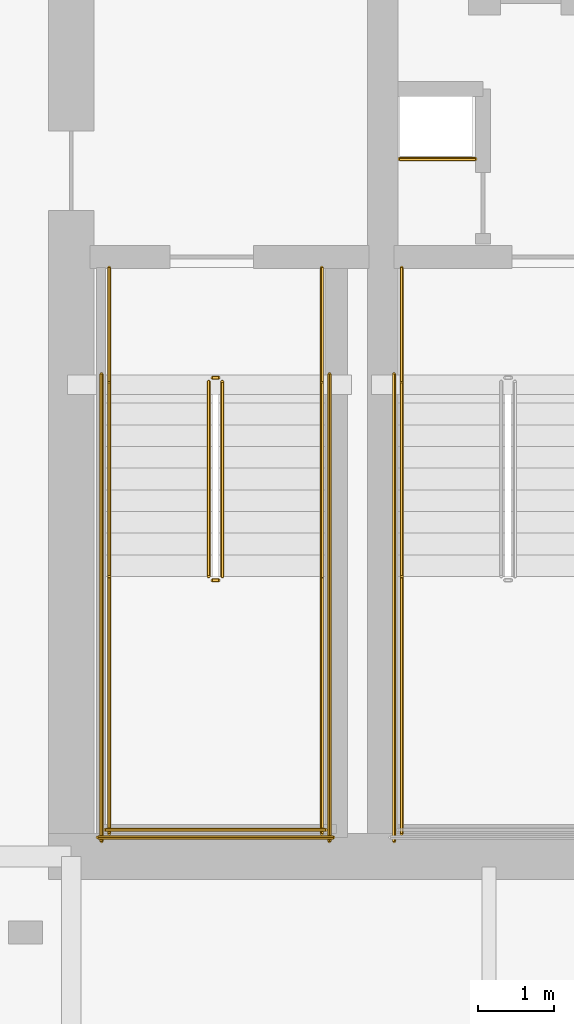
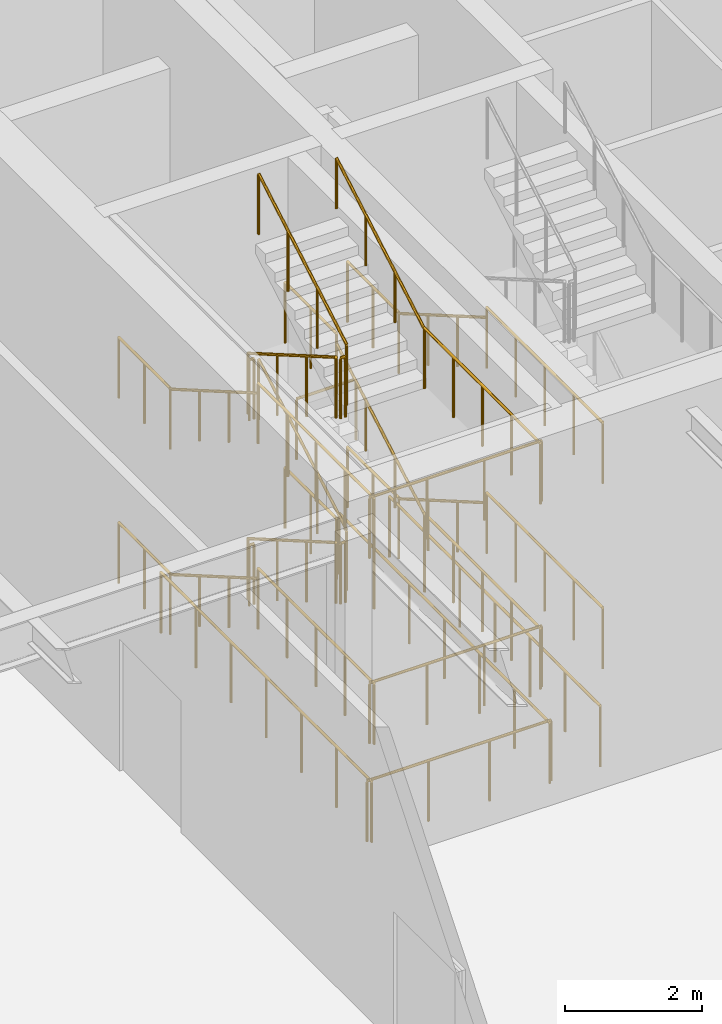
# One storey, part 11 of 16: 33 railings.
"""IFC4 building model written with IfcOpenShell, lengths in metres."""

from ifc_helpers import new_model, si_unit, direction, frame, origin, origin_2d, place, context, subcontext, project, spatial, circle, extrude, material, type_object, element, save


model = new_model("IFC4")

# Units and contexts
model_context = context("Model", 3, precision=1e-05, world=origin(), true_north=direction((0.0, 1.0)))
body_context = subcontext(model_context, "Body", "Model", "MODEL_VIEW")
ifc_project = project(units=[si_unit("LENGTHUNIT", "METRE"), si_unit("AREAUNIT", "SQUARE_METRE"), si_unit("VOLUMEUNIT", "CUBIC_METRE"), si_unit("PLANEANGLEUNIT", "RADIAN"), si_unit("MASSUNIT", "GRAM", prefix="KILO")], contexts=[model_context])

# Site, building, storey
site_placement = place(None, origin())
site = spatial("IfcSite", under=ifc_project, at=site_placement, CompositionType="ELEMENT")
building_placement = place(site_placement, origin())
building = spatial("IfcBuilding", under=site, at=building_placement, Name="Bramvorn Convention Spire", CompositionType="ELEMENT")
storey_placement = place(building_placement, frame((0.0, 0.0, 12.0)))
storey = spatial("IfcBuildingStorey", under=building, at=storey_placement, Name="L02", CompositionType="ELEMENT", Elevation=12.0)

# Railings
ifc_material_1 = material(Name="Painted Steel Balustrade & Guardrail", Category="steel")
railing_type_1 = type_object("IfcRailingType", Name="RL-STAIR-GUARD-1100", PredefinedType="GUARDRAIL", material=ifc_material_1)
railing_1_placement = place(storey_placement, frame((28.81005859375, 25.050048828125, 0.1650390625)))
element("IfcRailing", 1, at=railing_1_placement, inside=storey, type_object=railing_type_1, Name="L02 ST1 stair guard 1", PredefinedType="GUARDRAIL", context=body_context, shape_type="SweptSolid", body=[
    extrude(circle(Radius=0.02392578125, at=origin_2d()), frame((0.0, 0.0, 1.076171875), z_axis=(0.0, -0.865441324677, 0.50101029285), x_axis=(1.0, 0.0, 0.0)), (0.0, 0.0, 1.0), 2.963623046875),
    extrude(circle(Radius=0.02099609375, at=origin_2d()), origin(), (0.0, 0.0, 1.0), 1.052001953125),
    extrude(circle(Radius=0.02099609375, at=origin_2d()), frame((0.0, -0.85498046875, 0.494873046875)), (0.0, 0.0, 1.0), 1.052001953125),
    extrude(circle(Radius=0.02099609375, at=origin_2d()), frame((0.0, -1.7099609375, 0.989990234375)), (0.0, 0.0, 1.0), 1.052001953125),
    extrude(circle(Radius=0.02099609375, at=origin_2d()), frame((0.0, -2.56494140625, 1.48486328125)), (0.0, 0.0, 1.0), 1.052001953125),
])
railing_2_placement = place(storey_placement, frame((28.860107421875, 22.43505859375, 1.64990234375)))
element("IfcRailing", 2, at=railing_2_placement, inside=storey, type_object=railing_type_1, Name="L02 ST1 stair guard 2", PredefinedType="GUARDRAIL", context=body_context, shape_type="SweptSolid", body=[
    extrude(circle(Radius=0.02392578125, at=origin_2d()), frame((0.0, 0.0, 1.076171875), z_axis=(1.0, 0.0, 0.0), x_axis=(0.0, 1.0, 0.0)), (0.0, 0.0, 1.0), 0.079833984375),
    extrude(circle(Radius=0.02099609375, at=origin_2d()), origin(), (0.0, 0.0, 1.0), 1.052001953125),
    extrude(circle(Radius=0.02099609375, at=origin_2d()), frame((0.079833984375, 0.0, 0.0)), (0.0, 0.0, 1.0), 1.052001953125),
])
for number, where, name in (
    (3, (27.5, 22.485107421875, 1.64990234375), "L02 ST1 stair guard 3"),
    (4, (30.300048828125, 22.485107421875, 1.64990234375), "L02 ST1 stair guard 4"),
):
    element("IfcRailing", number, at=place(storey_placement, frame(where)), inside=storey, type_object=railing_type_1, Name=name, PredefinedType="GUARDRAIL", context=body_context, shape_type="SweptSolid", body=[
        extrude(circle(Radius=0.02392578125, at=origin_2d()), frame((0.0, 0.0, 1.076171875), z_axis=(0.0, -1.0, 0.0), x_axis=(1.0, 0.0, 0.0)), (0.0, 0.0, 1.0), 3.385009765625),
        extrude(circle(Radius=0.02099609375, at=origin_2d()), origin(), (0.0, 0.0, 1.0), 1.052001953125),
        extrude(circle(Radius=0.02099609375, at=origin_2d()), frame((0.0, -0.84619140625, 0.0)), (0.0, 0.0, 1.0), 1.052001953125),
        extrude(circle(Radius=0.02099609375, at=origin_2d()), frame((0.0, -1.6923828125, 0.0)), (0.0, 0.0, 1.0), 1.052001953125),
        extrude(circle(Radius=0.02099609375, at=origin_2d()), frame((0.0, -2.538818359375, 0.0)), (0.0, 0.0, 1.0), 1.052001953125),
        extrude(circle(Radius=0.02099609375, at=origin_2d()), frame((0.0, -3.385009765625, 0.0)), (0.0, 0.0, 1.0), 1.052001953125),
    ])
railing_3_placement = place(storey_placement, frame((27.449951171875, 19.14990234375, 1.64990234375)))
element("IfcRailing", 5, at=railing_3_placement, inside=storey, type_object=railing_type_1, Name="L02 ST1 stair guard 5", PredefinedType="GUARDRAIL", context=body_context, shape_type="SweptSolid", body=[
    extrude(circle(Radius=0.02392578125, at=origin_2d()), frame((0.0, 0.0, 1.076171875), z_axis=(1.0, 0.0, 0.0), x_axis=(0.0, 1.0, 0.0)), (0.0, 0.0, 1.0), 2.900146484375),
    extrude(circle(Radius=0.02099609375, at=origin_2d()), origin(), (0.0, 0.0, 1.0), 1.052001953125),
    extrude(circle(Radius=0.02099609375, at=origin_2d()), frame((0.966796875, 0.0, 0.0)), (0.0, 0.0, 1.0), 1.052001953125),
    extrude(circle(Radius=0.02099609375, at=origin_2d()), frame((1.933349609375, 0.0, 0.0)), (0.0, 0.0, 1.0), 1.052001953125),
    extrude(circle(Radius=0.02099609375, at=origin_2d()), frame((2.900146484375, 0.0, 0.0)), (0.0, 0.0, 1.0), 1.052001953125),
])
railing_4_placement = place(storey_placement, frame((28.989990234375, 22.485107421875, 1.81494140625)))
element("IfcRailing", 6, at=railing_4_placement, inside=storey, type_object=railing_type_1, Name="L02 ST1 stair guard 6", PredefinedType="GUARDRAIL", context=body_context, shape_type="SweptSolid", body=[
    extrude(circle(Radius=0.02392578125, at=origin_2d()), frame((0.0, 0.0, 1.076171875), z_axis=(0.0, 0.865405606168, 0.501071987656), x_axis=(-1.0, 0.0, 0.0)), (0.0, 0.0, 1.0), 2.9638671875),
    extrude(circle(Radius=0.02099609375, at=origin_2d()), origin(), (0.0, 0.0, 1.0), 1.052001953125),
    extrude(circle(Radius=0.02099609375, at=origin_2d()), frame((0.0, 0.85498046875, 0.4951171875)), (0.0, 0.0, 1.0), 1.052001953125),
    extrude(circle(Radius=0.02099609375, at=origin_2d()), frame((0.0, 1.7099609375, 0.989990234375)), (0.0, 0.0, 1.0), 1.052001953125),
    extrude(circle(Radius=0.02099609375, at=origin_2d()), frame((0.0, 2.56494140625, 1.485107421875)), (0.0, 0.0, 1.0), 1.052001953125),
])
railing_5_placement = place(storey_placement, frame((28.860107421875, 25.10009765625, 3.300048828125)))
element("IfcRailing", 7, at=railing_5_placement, inside=storey, type_object=railing_type_1, Name="L02 ST1 stair guard 7", PredefinedType="GUARDRAIL", context=body_context, shape_type="SweptSolid", body=[
    extrude(circle(Radius=0.02392578125, at=origin_2d()), frame((0.0, 0.0, 1.076171875), z_axis=(1.0, 0.0, 0.0), x_axis=(0.0, 1.0, 0.0)), (0.0, 0.0, 1.0), 0.079833984375),
    extrude(circle(Radius=0.02099609375, at=origin_2d()), origin(), (0.0, 0.0, 1.0), 1.052001953125),
    extrude(circle(Radius=0.02099609375, at=origin_2d()), frame((0.079833984375, 0.0, 0.0)), (0.0, 0.0, 1.0), 1.052001953125),
])
for number, where, name in (
    (8, (27.5, 26.550048828125, 3.300048828125), "L02 ST1 stair guard 8"),
    (9, (30.300048828125, 26.550048828125, 3.300048828125), "L02 ST1 stair guard 9"),
):
    element("IfcRailing", number, at=place(storey_placement, frame(where)), inside=storey, type_object=railing_type_1, Name=name, PredefinedType="GUARDRAIL", context=body_context, shape_type="SweptSolid", body=[
        extrude(circle(Radius=0.02392578125, at=origin_2d()), frame((0.0, 0.0, 1.076171875), z_axis=(0.0, -1.0, 0.0), x_axis=(1.0, 0.0, 0.0)), (0.0, 0.0, 1.0), 1.5),
        extrude(circle(Radius=0.02099609375, at=origin_2d()), origin(), (0.0, 0.0, 1.0), 1.052001953125),
        extrude(circle(Radius=0.02099609375, at=origin_2d()), frame((0.0, -0.75, 0.0)), (0.0, 0.0, 1.0), 1.052001953125),
        extrude(circle(Radius=0.02099609375, at=origin_2d()), frame((0.0, -1.5, 0.0)), (0.0, 0.0, 1.0), 1.052001953125),
    ])
railing_6_placement = place(storey_placement, frame((28.81005859375, 25.050048828125, 3.465087890625)))
element("IfcRailing", 10, at=railing_6_placement, inside=storey, type_object=railing_type_1, Name="L02 ST1 stair guard 10", PredefinedType="GUARDRAIL", context=body_context, shape_type="SweptSolid", body=[
    extrude(circle(Radius=0.02392578125, at=origin_2d()), frame((0.0, 0.0, 1.076171875), z_axis=(0.0, -0.865441324677, 0.50101029285), x_axis=(1.0, 0.0, 0.0)), (0.0, 0.0, 1.0), 2.963623046875),
    extrude(circle(Radius=0.02099609375, at=origin_2d()), origin(), (0.0, 0.0, 1.0), 1.052001953125),
    extrude(circle(Radius=0.02099609375, at=origin_2d()), frame((0.0, -0.85498046875, 0.494873046875)), (0.0, 0.0, 1.0), 1.052001953125),
    extrude(circle(Radius=0.02099609375, at=origin_2d()), frame((0.0, -1.7099609375, 0.989990234375)), (0.0, 0.0, 1.0), 1.052001953125),
    extrude(circle(Radius=0.02099609375, at=origin_2d()), frame((0.0, -2.56494140625, 1.48486328125)), (0.0, 0.0, 1.0), 1.052001953125),
])
railing_7_placement = place(storey_placement, frame((28.860107421875, 22.43505859375, 4.949951171875)))
element("IfcRailing", 11, at=railing_7_placement, inside=storey, type_object=railing_type_1, Name="L02 ST1 stair guard 11", PredefinedType="GUARDRAIL", context=body_context, shape_type="SweptSolid", body=[
    extrude(circle(Radius=0.02392578125, at=origin_2d()), frame((0.0, 0.0, 1.076171875), z_axis=(1.0, 0.0, 0.0), x_axis=(0.0, 1.0, 0.0)), (0.0, 0.0, 1.0), 0.079833984375),
    extrude(circle(Radius=0.02099609375, at=origin_2d()), origin(), (0.0, 0.0, 1.0), 1.052001953125),
    extrude(circle(Radius=0.02099609375, at=origin_2d()), frame((0.079833984375, 0.0, 0.0)), (0.0, 0.0, 1.0), 1.052001953125),
])
for number, where, name in (
    (12, (27.5, 22.485107421875, 4.949951171875), "L02 ST1 stair guard 12"),
    (13, (30.300048828125, 22.485107421875, 4.949951171875), "L02 ST1 stair guard 13"),
):
    element("IfcRailing", number, at=place(storey_placement, frame(where)), inside=storey, type_object=railing_type_1, Name=name, PredefinedType="GUARDRAIL", context=body_context, shape_type="SweptSolid", body=[
        extrude(circle(Radius=0.02392578125, at=origin_2d()), frame((0.0, 0.0, 1.076171875), z_axis=(0.0, -1.0, 0.0), x_axis=(1.0, 0.0, 0.0)), (0.0, 0.0, 1.0), 3.385009765625),
        extrude(circle(Radius=0.02099609375, at=origin_2d()), origin(), (0.0, 0.0, 1.0), 1.052001953125),
        extrude(circle(Radius=0.02099609375, at=origin_2d()), frame((0.0, -0.84619140625, 0.0)), (0.0, 0.0, 1.0), 1.052001953125),
        extrude(circle(Radius=0.02099609375, at=origin_2d()), frame((0.0, -1.6923828125, 0.0)), (0.0, 0.0, 1.0), 1.052001953125),
        extrude(circle(Radius=0.02099609375, at=origin_2d()), frame((0.0, -2.538818359375, 0.0)), (0.0, 0.0, 1.0), 1.052001953125),
        extrude(circle(Radius=0.02099609375, at=origin_2d()), frame((0.0, -3.385009765625, 0.0)), (0.0, 0.0, 1.0), 1.052001953125),
    ])
railing_8_placement = place(storey_placement, frame((27.449951171875, 19.14990234375, 4.949951171875)))
element("IfcRailing", 14, at=railing_8_placement, inside=storey, type_object=railing_type_1, Name="L02 ST1 stair guard 14", PredefinedType="GUARDRAIL", context=body_context, shape_type="SweptSolid", body=[
    extrude(circle(Radius=0.02392578125, at=origin_2d()), frame((0.0, 0.0, 1.076171875), z_axis=(1.0, 0.0, 0.0), x_axis=(0.0, 1.0, 0.0)), (0.0, 0.0, 1.0), 2.900146484375),
    extrude(circle(Radius=0.02099609375, at=origin_2d()), origin(), (0.0, 0.0, 1.0), 1.052001953125),
    extrude(circle(Radius=0.02099609375, at=origin_2d()), frame((0.966796875, 0.0, 0.0)), (0.0, 0.0, 1.0), 1.052001953125),
    extrude(circle(Radius=0.02099609375, at=origin_2d()), frame((1.933349609375, 0.0, 0.0)), (0.0, 0.0, 1.0), 1.052001953125),
    extrude(circle(Radius=0.02099609375, at=origin_2d()), frame((2.900146484375, 0.0, 0.0)), (0.0, 0.0, 1.0), 1.052001953125),
])
railing_9_placement = place(storey_placement, frame((28.989990234375, 22.485107421875, 5.114990234375)))
element("IfcRailing", 15, at=railing_9_placement, inside=storey, type_object=railing_type_1, Name="L02 ST1 stair guard 15", PredefinedType="GUARDRAIL", context=body_context, shape_type="SweptSolid", body=[
    extrude(circle(Radius=0.02392578125, at=origin_2d()), frame((0.0, 0.0, 1.076171875), z_axis=(0.0, 0.865405606168, 0.501071987656), x_axis=(-1.0, 0.0, 0.0)), (0.0, 0.0, 1.0), 2.9638671875),
    extrude(circle(Radius=0.02099609375, at=origin_2d()), origin(), (0.0, 0.0, 1.0), 1.052001953125),
    extrude(circle(Radius=0.02099609375, at=origin_2d()), frame((0.0, 0.85498046875, 0.4951171875)), (0.0, 0.0, 1.0), 1.052001953125),
    extrude(circle(Radius=0.02099609375, at=origin_2d()), frame((0.0, 1.7099609375, 0.989990234375)), (0.0, 0.0, 1.0), 1.052001953125),
    extrude(circle(Radius=0.02099609375, at=origin_2d()), frame((0.0, 2.56494140625, 1.485107421875)), (0.0, 0.0, 1.0), 1.052001953125),
])
railing_10_placement = place(storey_placement, frame((28.860107421875, 25.10009765625, 0.0)))
element("IfcRailing", 16, at=railing_10_placement, inside=storey, type_object=railing_type_1, Name="L02 ST1 stair guard 16", PredefinedType="GUARDRAIL", context=body_context, shape_type="SweptSolid", body=[
    extrude(circle(Radius=0.02392578125, at=origin_2d()), frame((0.0, 0.0, 1.076171875), z_axis=(1.0, 0.0, 0.0), x_axis=(0.0, 1.0, 0.0)), (0.0, 0.0, 1.0), 0.079833984375),
    extrude(circle(Radius=0.02099609375, at=origin_2d()), origin(), (0.0, 0.0, 1.0), 1.052001953125),
    extrude(circle(Radius=0.02099609375, at=origin_2d()), frame((0.079833984375, 0.0, 0.0)), (0.0, 0.0, 1.0), 1.052001953125),
])
for number, where, name in (
    (17, (27.5, 26.550048828125, 0.0), "L02 ST1 stair guard 17"),
    (18, (30.300048828125, 26.550048828125, 0.0), "L02 ST1 stair guard 18"),
):
    element("IfcRailing", number, at=place(storey_placement, frame(where)), inside=storey, type_object=railing_type_1, Name=name, PredefinedType="GUARDRAIL", context=body_context, shape_type="SweptSolid", body=[
        extrude(circle(Radius=0.02392578125, at=origin_2d()), frame((0.0, 0.0, 1.076171875), z_axis=(0.0, -1.0, 0.0), x_axis=(1.0, 0.0, 0.0)), (0.0, 0.0, 1.0), 1.5),
        extrude(circle(Radius=0.02099609375, at=origin_2d()), origin(), (0.0, 0.0, 1.0), 1.052001953125),
        extrude(circle(Radius=0.02099609375, at=origin_2d()), frame((0.0, -0.75, 0.0)), (0.0, 0.0, 1.0), 1.052001953125),
        extrude(circle(Radius=0.02099609375, at=origin_2d()), frame((0.0, -1.5, 0.0)), (0.0, 0.0, 1.0), 1.052001953125),
    ])
for number, where, name in (
    (19, (27.39990234375, 25.14990234375, 0.0), "L02 ST1 stair guard 19"),
    (20, (30.39990234375, 25.14990234375, 0.0), "L02 ST1 stair guard 20"),
):
    element("IfcRailing", number, at=place(storey_placement, frame(where)), inside=storey, type_object=railing_type_1, Name=name, PredefinedType="GUARDRAIL", context=body_context, shape_type="SweptSolid", body=[
        extrude(circle(Radius=0.02392578125, at=origin_2d()), frame((0.0, 0.0, 1.076171875), z_axis=(0.0, -1.0, 0.0), x_axis=(1.0, 0.0, 0.0)), (0.0, 0.0, 1.0), 6.14990234375),
        extrude(circle(Radius=0.02099609375, at=origin_2d()), origin(), (0.0, 0.0, 1.0), 1.052001953125),
        extrude(circle(Radius=0.02099609375, at=origin_2d()), frame((0.0, -1.02490234375, 0.0)), (0.0, 0.0, 1.0), 1.052001953125),
        extrude(circle(Radius=0.02099609375, at=origin_2d()), frame((0.0, -2.050048828125, 0.0)), (0.0, 0.0, 1.0), 1.052001953125),
        extrude(circle(Radius=0.02099609375, at=origin_2d()), frame((0.0, -3.074951171875, 0.0)), (0.0, 0.0, 1.0), 1.052001953125),
        extrude(circle(Radius=0.02099609375, at=origin_2d()), frame((0.0, -4.099853515625, 0.0)), (0.0, 0.0, 1.0), 1.052001953125),
        extrude(circle(Radius=0.02099609375, at=origin_2d()), frame((0.0, -5.125, 0.0)), (0.0, 0.0, 1.0), 1.052001953125),
        extrude(circle(Radius=0.02099609375, at=origin_2d()), frame((0.0, -6.14990234375, 0.0)), (0.0, 0.0, 1.0), 1.052001953125),
    ])
railing_11_placement = place(storey_placement, frame((27.35009765625, 19.050048828125, 0.0)))
element("IfcRailing", 21, at=railing_11_placement, inside=storey, type_object=railing_type_1, Name="L02 ST1 stair guard 21", PredefinedType="GUARDRAIL", context=body_context, shape_type="SweptSolid", body=[
    extrude(circle(Radius=0.02392578125, at=origin_2d()), frame((0.0, 0.0, 1.076171875), z_axis=(1.0, 0.0, 0.0), x_axis=(0.0, 1.0, 0.0)), (0.0, 0.0, 1.0), 3.099853515625),
    extrude(circle(Radius=0.02099609375, at=origin_2d()), origin(), (0.0, 0.0, 1.0), 1.052001953125),
    extrude(circle(Radius=0.02099609375, at=origin_2d()), frame((1.033203125, 0.0, 0.0)), (0.0, 0.0, 1.0), 1.052001953125),
    extrude(circle(Radius=0.02099609375, at=origin_2d()), frame((2.066650390625, 0.0, 0.0)), (0.0, 0.0, 1.0), 1.052001953125),
    extrude(circle(Radius=0.02099609375, at=origin_2d()), frame((3.099853515625, 0.0, 0.0)), (0.0, 0.0, 1.0), 1.052001953125),
])
railing_12_placement = place(storey_placement, frame((31.35009765625, 22.485107421875, 1.64990234375)))
element("IfcRailing", 22, at=railing_12_placement, inside=storey, type_object=railing_type_1, Name="L02 ST3 stair guard 3", PredefinedType="GUARDRAIL", context=body_context, shape_type="SweptSolid", body=[
    extrude(circle(Radius=0.02392578125, at=origin_2d()), frame((0.0, 0.0, 1.076171875), z_axis=(0.0, -1.0, 0.0), x_axis=(1.0, 0.0, 0.0)), (0.0, 0.0, 1.0), 3.385009765625),
    extrude(circle(Radius=0.02099609375, at=origin_2d()), origin(), (0.0, 0.0, 1.0), 1.052001953125),
    extrude(circle(Radius=0.02099609375, at=origin_2d()), frame((0.0, -0.84619140625, 0.0)), (0.0, 0.0, 1.0), 1.052001953125),
    extrude(circle(Radius=0.02099609375, at=origin_2d()), frame((0.0, -1.6923828125, 0.0)), (0.0, 0.0, 1.0), 1.052001953125),
    extrude(circle(Radius=0.02099609375, at=origin_2d()), frame((0.0, -2.538818359375, 0.0)), (0.0, 0.0, 1.0), 1.052001953125),
    extrude(circle(Radius=0.02099609375, at=origin_2d()), frame((0.0, -3.385009765625, 0.0)), (0.0, 0.0, 1.0), 1.052001953125),
])
railing_13_placement = place(storey_placement, frame((31.35009765625, 26.550048828125, 3.300048828125)))
element("IfcRailing", 23, at=railing_13_placement, inside=storey, type_object=railing_type_1, Name="L02 ST3 stair guard 8", PredefinedType="GUARDRAIL", context=body_context, shape_type="SweptSolid", body=[
    extrude(circle(Radius=0.02392578125, at=origin_2d()), frame((0.0, 0.0, 1.076171875), z_axis=(0.0, -1.0, 0.0), x_axis=(1.0, 0.0, 0.0)), (0.0, 0.0, 1.0), 1.5),
    extrude(circle(Radius=0.02099609375, at=origin_2d()), origin(), (0.0, 0.0, 1.0), 1.052001953125),
    extrude(circle(Radius=0.02099609375, at=origin_2d()), frame((0.0, -0.75, 0.0)), (0.0, 0.0, 1.0), 1.052001953125),
    extrude(circle(Radius=0.02099609375, at=origin_2d()), frame((0.0, -1.5, 0.0)), (0.0, 0.0, 1.0), 1.052001953125),
])
railing_14_placement = place(storey_placement, frame((31.35009765625, 22.485107421875, 4.949951171875)))
element("IfcRailing", 24, at=railing_14_placement, inside=storey, type_object=railing_type_1, Name="L02 ST3 stair guard 12", PredefinedType="GUARDRAIL", context=body_context, shape_type="SweptSolid", body=[
    extrude(circle(Radius=0.02392578125, at=origin_2d()), frame((0.0, 0.0, 1.076171875), z_axis=(0.0, -1.0, 0.0), x_axis=(1.0, 0.0, 0.0)), (0.0, 0.0, 1.0), 3.385009765625),
    extrude(circle(Radius=0.02099609375, at=origin_2d()), origin(), (0.0, 0.0, 1.0), 1.052001953125),
    extrude(circle(Radius=0.02099609375, at=origin_2d()), frame((0.0, -0.84619140625, 0.0)), (0.0, 0.0, 1.0), 1.052001953125),
    extrude(circle(Radius=0.02099609375, at=origin_2d()), frame((0.0, -1.6923828125, 0.0)), (0.0, 0.0, 1.0), 1.052001953125),
    extrude(circle(Radius=0.02099609375, at=origin_2d()), frame((0.0, -2.538818359375, 0.0)), (0.0, 0.0, 1.0), 1.052001953125),
    extrude(circle(Radius=0.02099609375, at=origin_2d()), frame((0.0, -3.385009765625, 0.0)), (0.0, 0.0, 1.0), 1.052001953125),
])
railing_15_placement = place(storey_placement, frame((31.35009765625, 26.550048828125, 0.0)))
element("IfcRailing", 25, at=railing_15_placement, inside=storey, type_object=railing_type_1, Name="L02 ST3 stair guard 17", PredefinedType="GUARDRAIL", context=body_context, shape_type="SweptSolid", body=[
    extrude(circle(Radius=0.02392578125, at=origin_2d()), frame((0.0, 0.0, 1.076171875), z_axis=(0.0, -1.0, 0.0), x_axis=(1.0, 0.0, 0.0)), (0.0, 0.0, 1.0), 1.5),
    extrude(circle(Radius=0.02099609375, at=origin_2d()), origin(), (0.0, 0.0, 1.0), 1.052001953125),
    extrude(circle(Radius=0.02099609375, at=origin_2d()), frame((0.0, -0.75, 0.0)), (0.0, 0.0, 1.0), 1.052001953125),
    extrude(circle(Radius=0.02099609375, at=origin_2d()), frame((0.0, -1.5, 0.0)), (0.0, 0.0, 1.0), 1.052001953125),
])
railing_16_placement = place(storey_placement, frame((31.25, 25.14990234375, 0.0)))
element("IfcRailing", 26, at=railing_16_placement, inside=storey, type_object=railing_type_1, Name="L02 ST3 stair guard 19", PredefinedType="GUARDRAIL", context=body_context, shape_type="SweptSolid", body=[
    extrude(circle(Radius=0.02392578125, at=origin_2d()), frame((0.0, 0.0, 1.076171875), z_axis=(0.0, -1.0, 0.0), x_axis=(1.0, 0.0, 0.0)), (0.0, 0.0, 1.0), 6.14990234375),
    extrude(circle(Radius=0.02099609375, at=origin_2d()), origin(), (0.0, 0.0, 1.0), 1.052001953125),
    extrude(circle(Radius=0.02099609375, at=origin_2d()), frame((0.0, -1.02490234375, 0.0)), (0.0, 0.0, 1.0), 1.052001953125),
    extrude(circle(Radius=0.02099609375, at=origin_2d()), frame((0.0, -2.050048828125, 0.0)), (0.0, 0.0, 1.0), 1.052001953125),
    extrude(circle(Radius=0.02099609375, at=origin_2d()), frame((0.0, -3.074951171875, 0.0)), (0.0, 0.0, 1.0), 1.052001953125),
    extrude(circle(Radius=0.02099609375, at=origin_2d()), frame((0.0, -4.099853515625, 0.0)), (0.0, 0.0, 1.0), 1.052001953125),
    extrude(circle(Radius=0.02099609375, at=origin_2d()), frame((0.0, -5.125, 0.0)), (0.0, 0.0, 1.0), 1.052001953125),
    extrude(circle(Radius=0.02099609375, at=origin_2d()), frame((0.0, -6.14990234375, 0.0)), (0.0, 0.0, 1.0), 1.052001953125),
])
railing_17_placement = place(storey_placement, frame((31.320068359375, 27.97998046875, 0.0)))
element("IfcRailing", 27, at=railing_17_placement, inside=storey, type_object=railing_type_1, Name="L02 Telecom riser shaft opening safety guardrail", PredefinedType="GUARDRAIL", context=body_context, shape_type="SweptSolid", body=[
    extrude(circle(Radius=0.02392578125, at=origin_2d()), frame((0.0, 0.0, 1.076171875), z_axis=(1.0, 0.0, 0.0), x_axis=(0.0, 1.0, 0.0)), (0.0, 0.0, 1.0), 1.0),
    extrude(circle(Radius=0.02099609375, at=origin_2d()), origin(), (0.0, 0.0, 1.0), 1.052001953125),
    extrude(circle(Radius=0.02099609375, at=origin_2d()), frame((1.0, 0.0, 0.0)), (0.0, 0.0, 1.0), 1.052001953125),
])
ifc_material_2 = material(Name="Brushed Bronze Tubular Handrail", Category="aluminium")
railing_type_2 = type_object("IfcRailingType", Name="RL-STAIR-HR-920", PredefinedType="HANDRAIL", material=ifc_material_2)
railing_18_placement = place(storey_placement, frame((27.5, 25.050048828125, 0.1650390625)))
element("IfcRailing", 28, at=railing_18_placement, inside=storey, type_object=railing_type_2, Name="L02 ST1 stair handrail 1", PredefinedType="HANDRAIL", context=body_context, shape_type="SweptSolid", body=[
    extrude(circle(Radius=0.02392578125, at=origin_2d()), frame((0.0, 0.0, 0.89599609375), z_axis=(0.0, -0.865441324677, 0.50101029285), x_axis=(1.0, 0.0, 0.0)), (0.0, 0.0, 1.0), 2.963623046875),
    extrude(circle(Radius=0.02099609375, at=origin_2d()), origin(), (0.0, 0.0, 1.0), 0.871826171875),
    extrude(circle(Radius=0.02099609375, at=origin_2d()), frame((0.0, -0.85498046875, 0.494873046875)), (0.0, 0.0, 1.0), 0.871826171875),
    extrude(circle(Radius=0.02099609375, at=origin_2d()), frame((0.0, -1.7099609375, 0.989990234375)), (0.0, 0.0, 1.0), 0.871826171875),
    extrude(circle(Radius=0.02099609375, at=origin_2d()), frame((0.0, -2.56494140625, 1.48486328125)), (0.0, 0.0, 1.0), 0.871826171875),
])
railing_19_placement = place(storey_placement, frame((30.300048828125, 22.485107421875, 1.81494140625)))
element("IfcRailing", 29, at=railing_19_placement, inside=storey, type_object=railing_type_2, Name="L02 ST1 stair handrail 2", PredefinedType="HANDRAIL", context=body_context, shape_type="SweptSolid", body=[
    extrude(circle(Radius=0.02392578125, at=origin_2d()), frame((0.0, 0.0, 0.89599609375), z_axis=(0.0, 0.865405606168, 0.501071987656), x_axis=(-1.0, 0.0, 0.0)), (0.0, 0.0, 1.0), 2.9638671875),
    extrude(circle(Radius=0.02099609375, at=origin_2d()), origin(), (0.0, 0.0, 1.0), 0.871826171875),
    extrude(circle(Radius=0.02099609375, at=origin_2d()), frame((0.0, 0.85498046875, 0.4951171875)), (0.0, 0.0, 1.0), 0.871826171875),
    extrude(circle(Radius=0.02099609375, at=origin_2d()), frame((0.0, 1.7099609375, 0.989990234375)), (0.0, 0.0, 1.0), 0.871826171875),
    extrude(circle(Radius=0.02099609375, at=origin_2d()), frame((0.0, 2.56494140625, 1.485107421875)), (0.0, 0.0, 1.0), 0.871826171875),
])
railing_20_placement = place(storey_placement, frame((27.5, 25.050048828125, 3.465087890625)))
element("IfcRailing", 30, at=railing_20_placement, inside=storey, type_object=railing_type_2, Name="L02 ST1 stair handrail 3", PredefinedType="HANDRAIL", context=body_context, shape_type="SweptSolid", body=[
    extrude(circle(Radius=0.02392578125, at=origin_2d()), frame((0.0, 0.0, 0.89599609375), z_axis=(0.0, -0.865441324677, 0.50101029285), x_axis=(1.0, 0.0, 0.0)), (0.0, 0.0, 1.0), 2.963623046875),
    extrude(circle(Radius=0.02099609375, at=origin_2d()), origin(), (0.0, 0.0, 1.0), 0.871826171875),
    extrude(circle(Radius=0.02099609375, at=origin_2d()), frame((0.0, -0.85498046875, 0.494873046875)), (0.0, 0.0, 1.0), 0.871826171875),
    extrude(circle(Radius=0.02099609375, at=origin_2d()), frame((0.0, -1.7099609375, 0.989990234375)), (0.0, 0.0, 1.0), 0.871826171875),
    extrude(circle(Radius=0.02099609375, at=origin_2d()), frame((0.0, -2.56494140625, 1.48486328125)), (0.0, 0.0, 1.0), 0.871826171875),
])
railing_21_placement = place(storey_placement, frame((30.300048828125, 22.485107421875, 5.114990234375)))
element("IfcRailing", 31, at=railing_21_placement, inside=storey, type_object=railing_type_2, Name="L02 ST1 stair handrail 4", PredefinedType="HANDRAIL", context=body_context, shape_type="SweptSolid", body=[
    extrude(circle(Radius=0.02392578125, at=origin_2d()), frame((0.0, 0.0, 0.89599609375), z_axis=(0.0, 0.865405606168, 0.501071987656), x_axis=(-1.0, 0.0, 0.0)), (0.0, 0.0, 1.0), 2.9638671875),
    extrude(circle(Radius=0.02099609375, at=origin_2d()), origin(), (0.0, 0.0, 1.0), 0.871826171875),
    extrude(circle(Radius=0.02099609375, at=origin_2d()), frame((0.0, 0.85498046875, 0.4951171875)), (0.0, 0.0, 1.0), 0.871826171875),
    extrude(circle(Radius=0.02099609375, at=origin_2d()), frame((0.0, 1.7099609375, 0.989990234375)), (0.0, 0.0, 1.0), 0.871826171875),
    extrude(circle(Radius=0.02099609375, at=origin_2d()), frame((0.0, 2.56494140625, 1.485107421875)), (0.0, 0.0, 1.0), 0.871826171875),
])
for number, where, name in (
    (32, (31.35009765625, 25.050048828125, 0.1650390625), "L02 ST3 stair handrail 1"),
    (33, (31.35009765625, 25.050048828125, 3.465087890625), "L02 ST3 stair handrail 3"),
):
    element("IfcRailing", number, at=place(storey_placement, frame(where)), inside=storey, type_object=railing_type_2, Name=name, PredefinedType="HANDRAIL", context=body_context, shape_type="SweptSolid", body=[
        extrude(circle(Radius=0.02392578125, at=origin_2d()), frame((0.0, 0.0, 0.89599609375), z_axis=(0.0, -0.865441324677, 0.50101029285), x_axis=(1.0, 0.0, 0.0)), (0.0, 0.0, 1.0), 2.963623046875),
        extrude(circle(Radius=0.02099609375, at=origin_2d()), origin(), (0.0, 0.0, 1.0), 0.871826171875),
        extrude(circle(Radius=0.02099609375, at=origin_2d()), frame((0.0, -0.85498046875, 0.494873046875)), (0.0, 0.0, 1.0), 0.871826171875),
        extrude(circle(Radius=0.02099609375, at=origin_2d()), frame((0.0, -1.7099609375, 0.989990234375)), (0.0, 0.0, 1.0), 0.871826171875),
        extrude(circle(Radius=0.02099609375, at=origin_2d()), frame((0.0, -2.56494140625, 1.48486328125)), (0.0, 0.0, 1.0), 0.871826171875),
    ])

save(model, "model.ifc")
